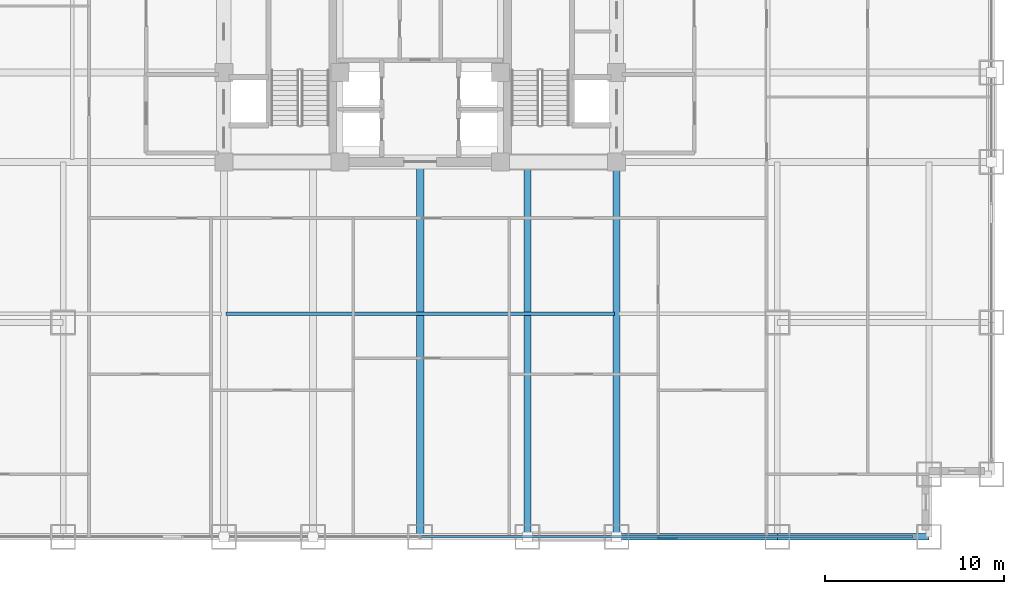
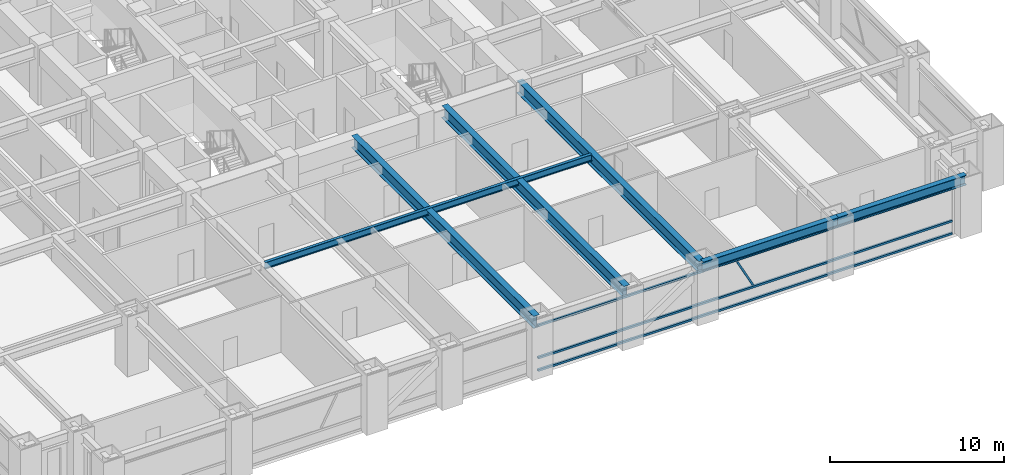
# One storey, part 5 of 28: 6 beams, 4 members, 1 element without a shape of its own.
"""IFC4 building model written with IfcOpenShell, lengths in metres."""

from ifc_helpers import new_model, si_unit, direction, frame, origin, origin_2d, place, context, subcontext, project, spatial, hollow_rectangle, i_section, extrude, source, transform, mapped, material, material_profile, profile_set, type_object, element, aggregate, save


model = new_model("IFC4")

# Units and contexts
model_context = context("Model", 3, precision=1e-05, world=origin(), true_north=direction((0.0, 1.0)))
body_context = subcontext(model_context, "Body", "Model", "MODEL_VIEW")
ifc_project = project(units=[si_unit("LENGTHUNIT", "METRE"), si_unit("AREAUNIT", "SQUARE_METRE"), si_unit("VOLUMEUNIT", "CUBIC_METRE"), si_unit("PLANEANGLEUNIT", "RADIAN"), si_unit("MASSUNIT", "GRAM", prefix="KILO")], contexts=[model_context])

# Site, building, storey
site_placement = place(None, origin())
site = spatial("IfcSite", under=ifc_project, at=site_placement, CompositionType="ELEMENT")
building_placement = place(site_placement, origin())
building = spatial("IfcBuilding", under=site, at=building_placement, Name="Khorayat Bourse Tower", CompositionType="ELEMENT")
storey_placement = place(building_placement, frame((0.0, 0.0, 83.0)))
storey = spatial("IfcBuildingStorey", under=building, at=storey_placement, Name="L18", CompositionType="ELEMENT", Elevation=83.0)

# Beams
ifc_material_1 = material(Name="Steel ASTM A992 Grade 50", Category="steel")
ifc_material_profile_1 = material_profile(ifc_material_1, i_section(OverallWidth=0.35498046875, OverallDepth=0.695068359375, WebThickness=0.015380859375, FlangeThickness=0.02490234375, FilletRadius=0.01806640625, at=origin_2d()), Name="W690X217")
ifc_profile_set_1 = profile_set([ifc_material_profile_1], Name="Steel ASTM A992 Grade 50")
beam_type_1 = type_object("IfcBeamType", Name="BM-SPAN-690", PredefinedType="SPANDREL", material=ifc_profile_set_1)
shared_shape_1 = source(origin(), body_context, "Body", "SweptSolid", [
    extrude(i_section(OverallWidth=0.35498046875, OverallDepth=0.695068359375, WebThickness=0.015380859375, FlangeThickness=0.02490234375, FilletRadius=0.01806640625, at=origin_2d()), origin(), (0.0, 0.0, 1.0), 8.5),
])
beam_1_placement = place(storey_placement, frame((20.0, -32.0, 3.592529296875), z_axis=(1.0, 0.0, 0.0), x_axis=(0.0, 1.0, 0.0)))
element("IfcBeam", 1, at=beam_1_placement, inside=storey, type_object=beam_type_1, Name="L18 BM-SPAN-690 BM-L18-SPN-031", PredefinedType="SPANDREL", context=body_context, shape_type="MappedRepresentation", body=[
    mapped(shared_shape_1, transform((0.0, 0.0, 0.0), scale=1.0)),
])
shared_shape_2 = source(origin(), body_context, "Body", "SweptSolid", [
    extrude(i_section(OverallWidth=0.35498046875, OverallDepth=0.695068359375, WebThickness=0.015380859375, FlangeThickness=0.02490234375, FilletRadius=0.01806640625, at=origin_2d()), origin(), (0.0, 0.0, 1.0), 9.0),
])
beam_2_placement = place(storey_placement, frame((11.0, -32.0, 3.592529296875), z_axis=(1.0, 0.0, 0.0), x_axis=(0.0, 1.0, 0.0)))
element("IfcBeam", 2, at=beam_2_placement, inside=storey, type_object=beam_type_1, Name="L18 BM-SPAN-690 BM-L18-SPN-030", PredefinedType="SPANDREL", context=body_context, shape_type="MappedRepresentation", body=[
    mapped(shared_shape_2, transform((0.0, 0.0, 0.0), scale=1.0)),
])
ifc_material_profile_2 = material_profile(ifc_material_1, i_section(OverallWidth=0.39990234375, OverallDepth=0.85498046875, WebThickness=0.018310546875, FlangeThickness=0.029296875, FilletRadius=0.02001953125, at=origin_2d()), Name="W840X299")
ifc_profile_set_2 = profile_set([ifc_material_profile_2], Name="Steel ASTM A992 Grade 50")
beam_type_2 = type_object("IfcBeamType", Name="BM-GIRD-840", PredefinedType="BEAM", material=ifc_profile_set_2)
shared_shape_3 = source(origin(), body_context, "Body", "SweptSolid", [
    extrude(i_section(OverallWidth=0.39990234375, OverallDepth=0.85498046875, WebThickness=0.018310546875, FlangeThickness=0.029296875, FilletRadius=0.02001953125, at=origin_2d()), origin(), (0.0, 0.0, 1.0), 21.0),
])
for number, where, z_axis, x_axis, name in (
    (3, (0.0, -32.0, 3.512451171875), (0.0, 1.0, 0.0), (-1.0, 0.0, 0.0), "L18 BM-GIRD-840 BM-L18-RADY-069"),
    (4, (6.0, -32.0, 3.512451171875), (0.0, 1.0, 0.0), (-1.0, 0.0, 0.0), "L18 BM-GIRD-840 BM-L18-RADY-071"),
    (5, (11.0, -32.0, 3.512451171875), (0.0, 1.0, 0.0), (-1.0, 0.0, 0.0), "L18 BM-GIRD-840 BM-L18-RADY-073"),
):
    element("IfcBeam", number, at=place(storey_placement, frame(where, z_axis=z_axis, x_axis=x_axis)), inside=storey, type_object=beam_type_2, Name=name, PredefinedType="BEAM", context=body_context, shape_type="MappedRepresentation", body=[
        mapped(shared_shape_3, transform((0.0, 0.0, 0.0), scale=1.0)),
    ])
ifc_material_profile_3 = material_profile(ifc_material_1, i_section(OverallWidth=0.194091796875, OverallDepth=0.468994140625, WebThickness=0.0126953125, FlangeThickness=0.0205078125, FilletRadius=0.012939453125, at=origin_2d()), Name="W460X106")
ifc_profile_set_3 = profile_set([ifc_material_profile_3], Name="Steel ASTM A992 Grade 50")
beam_type_3 = type_object("IfcBeamType", Name="BM-JOIST-460", PredefinedType="JOIST", material=ifc_profile_set_3)
shared_shape_4 = source(origin(), body_context, "Body", "SweptSolid", [
    extrude(i_section(OverallWidth=0.194091796875, OverallDepth=0.468994140625, WebThickness=0.0126953125, FlangeThickness=0.0205078125, FilletRadius=0.012939453125, at=origin_2d()), origin(), (0.0, 0.0, 1.0), 21.740234375),
])
beam_3_placement = place(storey_placement, frame((-10.8701171875, -19.5, 3.70556640625), z_axis=(1.0, 0.0, 0.0), x_axis=(0.0, 1.0, 0.0)))
element("IfcBeam", 6, at=beam_3_placement, inside=storey, type_object=beam_type_3, Name="L18 BM-JOIST-460 BM-L18-JSTX-097", PredefinedType="JOIST", context=body_context, shape_type="MappedRepresentation", body=[
    mapped(shared_shape_4, transform((0.0, 0.0, 0.0), scale=1.0)),
])

# Curtain wall, members
ifc_material_2 = material(Name="Aluminium EN AW-6063 T6", Category="aluminium")
curtain_wall_type = type_object("IfcCurtainWallType", Name="CW-SYS-02", PredefinedType="NOTDEFINED", material=ifc_material_2)
curtain_wall_placement = place(storey_placement, origin())
curtain_wall = element("IfcCurtainWall", 7, at=curtain_wall_placement, inside=storey, type_object=curtain_wall_type, Name="L18 Curtain Wall CW-L18-S1", PredefinedType="NOTDEFINED")
ifc_material_profile_4 = material_profile(ifc_material_2, hollow_rectangle(XDim=0.1201171875, YDim=0.1201171875, WallThickness=0.0048828125, at=origin_2d()), Name="ALU 120x120x5")
ifc_profile_set_4 = profile_set([ifc_material_profile_4], Name="Aluminium EN AW-6063 T6")
member_type_1 = type_object("IfcMemberType", Name="CWM-DIAG-120", PredefinedType="MULLION", material=ifc_profile_set_4)
shared_shape_5 = source(origin(), body_context, "Body", "SweptSolid", [
    extrude(hollow_rectangle(XDim=0.1201171875, YDim=0.1201171875, WallThickness=0.0048828125, at=origin_2d()), origin(), (0.0, 0.0, 1.0), 2.22607421875),
])
member_1_placement = place(storey_placement, frame((14.3583984375, -32.0, 1.10009765625), z_axis=(-0.465759992596, 0.0, 0.884911085532), x_axis=(0.0, -1.0, 0.0)))
member_1 = element("IfcMember", 8, at=member_1_placement, type_object=member_type_1, Name="CW-L18-S1 Faceted Diagonal Mullion 2", PredefinedType="MULLION", context=body_context, shape_type="MappedRepresentation", body=[
    mapped(shared_shape_5, transform((0.0, 0.0, 0.0), scale=1.0)),
])
ifc_material_profile_5 = material_profile(ifc_material_2, hollow_rectangle(XDim=0.139892578125, YDim=0.139892578125, WallThickness=0.006103515625, at=origin_2d()), Name="ALU 140x140x6")
ifc_profile_set_5 = profile_set([ifc_material_profile_5], Name="Aluminium EN AW-6063 T6")
member_type_2 = type_object("IfcMemberType", Name="CWT-HORZ-140", PredefinedType="USERDEFINED", material=ifc_profile_set_5)
shared_shape_6 = source(origin(), body_context, "Body", "SweptSolid", [
    extrude(hollow_rectangle(XDim=0.139892578125, YDim=0.139892578125, WallThickness=0.006103515625, at=origin_2d()), origin(), (0.0, 0.0, 1.0), 27.5400390625),
])
member_2_placement = place(storey_placement, frame((0.070068359375, -32.0, 0.070068359375), z_axis=(1.0, 0.0, 0.0), x_axis=(0.0, 1.0, 0.0)))
member_2 = element("IfcMember", 9, at=member_2_placement, type_object=member_type_2, Name="CW-L18-S1 Horizontal Transom 2-1", ObjectType="TRANSOM", PredefinedType="USERDEFINED", context=body_context, shape_type="MappedRepresentation", body=[
    mapped(shared_shape_6, transform((0.0, 0.0, 0.0), scale=1.0)),
])
member_3_placement = place(storey_placement, frame((0.070068359375, -32.0, 0.949951171875), z_axis=(1.0, 0.0, 0.0), x_axis=(0.0, 1.0, 0.0)))
member_3 = element("IfcMember", 10, at=member_3_placement, type_object=member_type_2, Name="CW-L18-S1 Horizontal Transom 2-2", ObjectType="TRANSOM", PredefinedType="USERDEFINED", context=body_context, shape_type="MappedRepresentation", body=[
    mapped(shared_shape_6, transform((0.0, 0.0, 0.0), scale=1.0)),
])
member_4_placement = place(storey_placement, frame((0.070068359375, -32.0, 3.219970703125), z_axis=(1.0, 0.0, 0.0), x_axis=(0.0, 1.0, 0.0)))
member_4 = element("IfcMember", 11, at=member_4_placement, type_object=member_type_2, Name="CW-L18-S1 Horizontal Transom 2-3", ObjectType="TRANSOM", PredefinedType="USERDEFINED", context=body_context, shape_type="MappedRepresentation", body=[
    mapped(shared_shape_6, transform((0.0, 0.0, 0.0), scale=1.0)),
])
aggregate(curtain_wall, [member_2, member_3, member_4, member_1])

save(model, "model.ifc")
